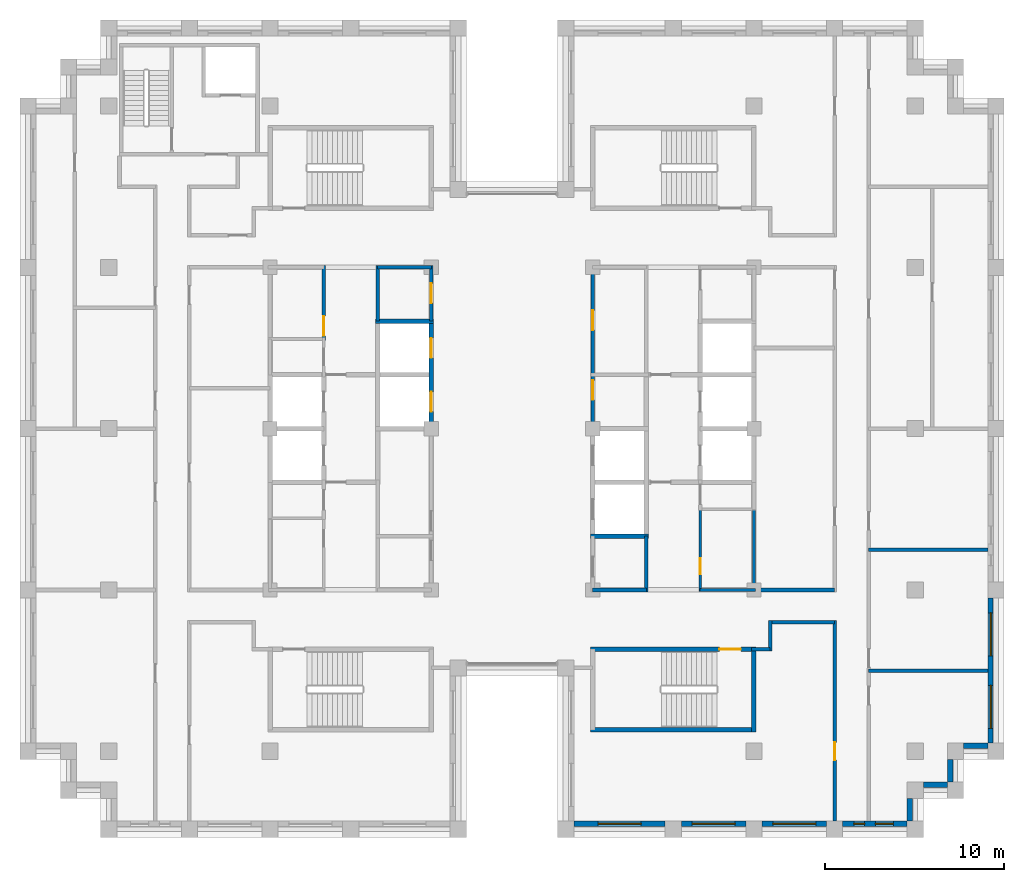
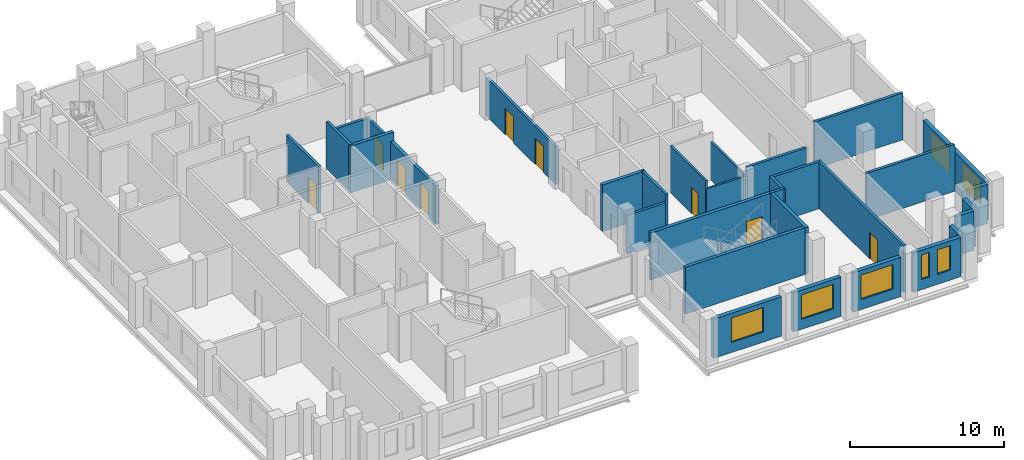
# One storey, part 8 of 13: 32 walls, 9 doors, 7 windows, 16 openings.
"""IFC4 building model written with IfcOpenShell, lengths in metres."""

from ifc_helpers import new_model, si_unit, direction, frame, frame_2d, origin, place, context, subcontext, project, spatial, rectangle, extrude, material, layer, layer_set, type_object, element, fill, save


model = new_model("IFC4")

# Units and contexts
model_context = context("Model", 3, precision=1e-05, world=origin(), true_north=direction((0.0, 1.0)))
body_context = subcontext(model_context, "Body", "Model", "MODEL_VIEW")
ifc_project = project(units=[si_unit("LENGTHUNIT", "METRE"), si_unit("AREAUNIT", "SQUARE_METRE"), si_unit("VOLUMEUNIT", "CUBIC_METRE"), si_unit("PLANEANGLEUNIT", "RADIAN"), si_unit("MASSUNIT", "GRAM", prefix="KILO")], contexts=[model_context])

# Site, building, storey
site_placement = place(None, origin())
site = spatial("IfcSite", under=ifc_project, at=site_placement, CompositionType="ELEMENT")
building_placement = place(site_placement, origin())
building = spatial("IfcBuilding", under=site, at=building_placement, Name="Corbelhall Arena Tower", CompositionType="ELEMENT")
storey_placement = place(building_placement, frame((0.0, 0.0, 250.0)))
storey = spatial("IfcBuildingStorey", under=building, at=storey_placement, Name="L53", CompositionType="ELEMENT", Elevation=250.0)

# Wall, opening, window
ifc_material_1 = material(Name="Precast concrete C40/50 with granite facing", Category="masonry")
ifc_layer_1 = layer(ifc_material_1, 0.300048828125)
ifc_layer_set_1 = layer_set([ifc_layer_1], Name="EV-IW1 Infill panel 300")
wall_type_1 = type_object("IfcWallType", Name="EV-IW1 Infill panel 300", PredefinedType="SOLIDWALL", material=ifc_layer_set_1)
wall_1_placement = place(storey_placement, frame((3.449951171875, -22.050048828125, 0.0), z_axis=(0.0, 0.0, 1.0), x_axis=(1.0, 0.0, 0.0)))
wall_1 = element("IfcWall", 1, at=wall_1_placement, inside=storey, type_object=wall_type_1, Name="Infill panel IW1", PredefinedType="SOLIDWALL", context=body_context, shape_type="SweptSolid", body=[
    extrude(rectangle(XDim=5.10009765625, YDim=0.300048828125, at=frame_2d((2.550048828125, 0.0))), origin(), (0.0, 0.0, 1.0), 3.1201171875),
])
opening_1_placement = place(wall_1_placement, frame((1.35009765625, 0.0, 0.800048828125)))
opening_1 = element("IfcOpeningElement", 2, at=opening_1_placement, cuts=wall_1, Name="Opening WN1", PredefinedType="OPENING", context=body_context, shape_type="SweptSolid", body=[
    extrude(rectangle(XDim=2.39990234375, YDim=1.949951171875, at=frame_2d((1.199951171875, 0.97509765625))), frame((0.0, 0.14990234375, 0.0), z_axis=(0.0, -1.0, 0.0), x_axis=(1.0, 0.0, 0.0)), (0.0, 0.0, 1.0), 0.300048828125),
])
ifc_material_2 = material(Name="Aluminium black anodised", Category="aluminium")
window_type_1 = type_object("IfcWindowType", Name="EV-WN1 Office window", PartitioningType="SINGLE_PANEL", PredefinedType="WINDOW", material=ifc_material_2)
window_1_placement = place(opening_1_placement, origin())
window_1 = element("IfcWindow", 3, at=window_1_placement, inside=storey, type_object=window_type_1, Name="Window WN1", OverallHeight=1.949951171875, OverallWidth=2.39990234375, PartitioningType="SINGLE_PANEL", PredefinedType="WINDOW", context=body_context, shape_type="SweptSolid", body=[
    extrude(rectangle(XDim=2.39990234375, YDim=1.949951171875, at=frame_2d((1.199951171875, 0.97509765625))), frame((0.0, 0.030029296875, 0.0), z_axis=(0.0, -1.0, 0.0), x_axis=(1.0, 0.0, 0.0)), (0.0, 0.0, 1.0), 0.06005859375),
])
fill(opening_1, window_1)

wall_2_placement = place(storey_placement, frame((9.449951171875, -22.050048828125, 0.0), z_axis=(0.0, 0.0, 1.0), x_axis=(1.0, 0.0, 0.0)))
wall_2 = element("IfcWall", 4, at=wall_2_placement, inside=storey, type_object=wall_type_1, Name="Infill panel IW1", PredefinedType="SOLIDWALL", context=body_context, shape_type="SweptSolid", body=[
    extrude(rectangle(XDim=3.60009765625, YDim=0.300048828125, at=frame_2d((1.800048828125, 0.0))), origin(), (0.0, 0.0, 1.0), 3.1201171875),
])
opening_2_placement = place(wall_2_placement, frame((0.60009765625, 0.0, 0.800048828125)))
opening_2 = element("IfcOpeningElement", 5, at=opening_2_placement, cuts=wall_2, Name="Opening WN1", PredefinedType="OPENING", context=body_context, shape_type="SweptSolid", body=[
    extrude(rectangle(XDim=2.39990234375, YDim=1.949951171875, at=frame_2d((1.199951171875, 0.97509765625))), frame((0.0, 0.14990234375, 0.0), z_axis=(0.0, -1.0, 0.0), x_axis=(1.0, 0.0, 0.0)), (0.0, 0.0, 1.0), 0.300048828125),
])
window_2_placement = place(opening_2_placement, origin())
window_2 = element("IfcWindow", 6, at=window_2_placement, inside=storey, type_object=window_type_1, Name="Window WN1", OverallHeight=1.949951171875, OverallWidth=2.39990234375, PartitioningType="SINGLE_PANEL", PredefinedType="WINDOW", context=body_context, shape_type="SweptSolid", body=[
    extrude(rectangle(XDim=2.39990234375, YDim=1.949951171875, at=frame_2d((1.199951171875, 0.97509765625))), frame((0.0, 0.030029296875, 0.0), z_axis=(0.0, -1.0, 0.0), x_axis=(1.0, 0.0, 0.0)), (0.0, 0.0, 1.0), 0.06005859375),
])
fill(opening_2, window_2)

wall_3_placement = place(storey_placement, frame((13.949951171875, -22.050048828125, 0.0), z_axis=(0.0, 0.0, 1.0), x_axis=(1.0, 0.0, 0.0)))
wall_3 = element("IfcWall", 7, at=wall_3_placement, inside=storey, type_object=wall_type_1, Name="Infill panel IW1", PredefinedType="SOLIDWALL", context=body_context, shape_type="SweptSolid", body=[
    extrude(rectangle(XDim=3.60009765625, YDim=0.300048828125, at=frame_2d((1.800048828125, 0.0))), origin(), (0.0, 0.0, 1.0), 3.1201171875),
])
opening_3_placement = place(wall_3_placement, frame((0.60009765625, 0.0, 0.800048828125)))
opening_3 = element("IfcOpeningElement", 8, at=opening_3_placement, cuts=wall_3, Name="Opening WN1", PredefinedType="OPENING", context=body_context, shape_type="SweptSolid", body=[
    extrude(rectangle(XDim=2.39990234375, YDim=1.949951171875, at=frame_2d((1.199951171875, 0.97509765625))), frame((0.0, 0.14990234375, 0.0), z_axis=(0.0, -1.0, 0.0), x_axis=(1.0, 0.0, 0.0)), (0.0, 0.0, 1.0), 0.300048828125),
])
window_3_placement = place(opening_3_placement, origin())
window_3 = element("IfcWindow", 9, at=window_3_placement, inside=storey, type_object=window_type_1, Name="Window WN1", OverallHeight=1.949951171875, OverallWidth=2.39990234375, PartitioningType="SINGLE_PANEL", PredefinedType="WINDOW", context=body_context, shape_type="SweptSolid", body=[
    extrude(rectangle(XDim=2.39990234375, YDim=1.949951171875, at=frame_2d((1.199951171875, 0.97509765625))), frame((0.0, 0.030029296875, 0.0), z_axis=(0.0, -1.0, 0.0), x_axis=(1.0, 0.0, 0.0)), (0.0, 0.0, 1.0), 0.06005859375),
])
fill(opening_3, window_3)

# Wall, openings, windows
wall_4_placement = place(storey_placement, frame((18.449951171875, -22.050048828125, 0.0), z_axis=(0.0, 0.0, 1.0), x_axis=(1.0, 0.0, 0.0)))
wall_4 = element("IfcWall", 10, at=wall_4_placement, inside=storey, type_object=wall_type_1, Name="Infill panel IW1", PredefinedType="SOLIDWALL", context=body_context, shape_type="SweptSolid", body=[
    extrude(rectangle(XDim=3.60009765625, YDim=0.300048828125, at=frame_2d((1.800048828125, 0.0))), origin(), (0.0, 0.0, 1.0), 3.1201171875),
])
opening_4_placement = place(wall_4_placement, frame((0.625, 0.0, 0.800048828125)))
opening_4 = element("IfcOpeningElement", 11, at=opening_4_placement, cuts=wall_4, Name="Opening WN5", PredefinedType="OPENING", context=body_context, shape_type="SweptSolid", body=[
    extrude(rectangle(XDim=0.60009765625, YDim=1.949951171875, at=frame_2d((0.300048828125, 0.97509765625))), frame((0.0, 0.14990234375, 0.0), z_axis=(0.0, -1.0, 0.0), x_axis=(1.0, 0.0, 0.0)), (0.0, 0.0, 1.0), 0.300048828125),
])
opening_5_placement = place(wall_4_placement, frame((1.824951171875, 0.0, 0.800048828125)))
opening_5 = element("IfcOpeningElement", 12, at=opening_5_placement, cuts=wall_4, Name="Opening WN6", PredefinedType="OPENING", context=body_context, shape_type="SweptSolid", body=[
    extrude(rectangle(XDim=1.0, YDim=1.949951171875, at=frame_2d((0.5, 0.97509765625))), frame((0.0, 0.14990234375, 0.0), z_axis=(0.0, -1.0, 0.0), x_axis=(1.0, 0.0, 0.0)), (0.0, 0.0, 1.0), 0.300048828125),
])
window_type_2 = type_object("IfcWindowType", Name="EV-WN5 Office window 600", PartitioningType="SINGLE_PANEL", PredefinedType="WINDOW", material=ifc_material_2)
window_4_placement = place(opening_4_placement, origin())
window_4 = element("IfcWindow", 13, at=window_4_placement, inside=storey, type_object=window_type_2, Name="Window WN5", OverallHeight=1.949951171875, OverallWidth=0.60009765625, PartitioningType="SINGLE_PANEL", PredefinedType="WINDOW", context=body_context, shape_type="SweptSolid", body=[
    extrude(rectangle(XDim=0.60009765625, YDim=1.949951171875, at=frame_2d((0.300048828125, 0.97509765625))), frame((0.0, 0.030029296875, 0.0), z_axis=(0.0, -1.0, 0.0), x_axis=(1.0, 0.0, 0.0)), (0.0, 0.0, 1.0), 0.06005859375),
])
fill(opening_4, window_4)
window_type_3 = type_object("IfcWindowType", Name="EV-WN6 Office window 1000", PartitioningType="SINGLE_PANEL", PredefinedType="WINDOW", material=ifc_material_2)
window_5_placement = place(opening_5_placement, origin())
window_5 = element("IfcWindow", 14, at=window_5_placement, inside=storey, type_object=window_type_3, Name="Window WN6", OverallHeight=1.949951171875, OverallWidth=1.0, PartitioningType="SINGLE_PANEL", PredefinedType="WINDOW", context=body_context, shape_type="SweptSolid", body=[
    extrude(rectangle(XDim=1.0, YDim=1.949951171875, at=frame_2d((0.5, 0.97509765625))), frame((0.0, 0.030029296875, 0.0), z_axis=(0.0, -1.0, 0.0), x_axis=(1.0, 0.0, 0.0)), (0.0, 0.0, 1.0), 0.06005859375),
])
fill(opening_5, window_5)

# Walls
wall_5_placement = place(storey_placement, frame((22.199951171875, -21.89990234375, 0.0), z_axis=(0.0, 0.0, 1.0), x_axis=(0.0, 1.0, 0.0)))
element("IfcWall", 15, at=wall_5_placement, inside=storey, type_object=wall_type_1, Name="Infill panel IW1", PredefinedType="SOLIDWALL", context=body_context, shape_type="SweptSolid", body=[
    extrude(rectangle(XDim=1.27490234375, YDim=0.300048828125, at=frame_2d((0.637451171875, 0.0))), origin(), (0.0, 0.0, 1.0), 3.1201171875),
])
wall_6_placement = place(storey_placement, frame((22.949951171875, -19.875, 0.0), z_axis=(0.0, 0.0, 1.0), x_axis=(1.0, 0.0, 0.0)))
element("IfcWall", 16, at=wall_6_placement, inside=storey, type_object=wall_type_1, Name="Infill panel IW1", PredefinedType="SOLIDWALL", context=body_context, shape_type="SweptSolid", body=[
    extrude(rectangle(XDim=1.35009765625, YDim=0.300048828125, at=frame_2d((0.675048828125, 0.0))), origin(), (0.0, 0.0, 1.0), 3.1201171875),
])
wall_7_placement = place(storey_placement, frame((24.449951171875, -19.72509765625, 0.0), z_axis=(0.0, 0.0, 1.0), x_axis=(0.0, 1.0, 0.0)))
element("IfcWall", 17, at=wall_7_placement, inside=storey, type_object=wall_type_1, Name="Infill panel IW1", PredefinedType="SOLIDWALL", context=body_context, shape_type="SweptSolid", body=[
    extrude(rectangle(XDim=1.275146484375, YDim=0.300048828125, at=frame_2d((0.6376953125, 0.0))), origin(), (0.0, 0.0, 1.0), 3.1201171875),
])
wall_8_placement = place(storey_placement, frame((25.199951171875, -17.699951171875, 0.0), z_axis=(0.0, 0.0, 1.0), x_axis=(1.0, 0.0, 0.0)))
element("IfcWall", 18, at=wall_8_placement, inside=storey, type_object=wall_type_1, Name="Infill panel IW1", PredefinedType="SOLIDWALL", context=body_context, shape_type="SweptSolid", body=[
    extrude(rectangle(XDim=1.35009765625, YDim=0.300048828125, at=frame_2d((0.675048828125, 0.0))), origin(), (0.0, 0.0, 1.0), 3.1201171875),
])

# Wall, openings, windows
wall_9_placement = place(storey_placement, frame((26.699951171875, -17.550048828125, 0.0), z_axis=(0.0, 0.0, 1.0), x_axis=(0.0, 1.0, 0.0)))
wall_9 = element("IfcWall", 19, at=wall_9_placement, inside=storey, type_object=wall_type_1, Name="Infill panel IW1", PredefinedType="SOLIDWALL", context=body_context, shape_type="SweptSolid", body=[
    extrude(rectangle(XDim=8.10009765625, YDim=0.300048828125, at=frame_2d((4.050048828125, 0.0))), origin(), (0.0, 0.0, 1.0), 3.1201171875),
])
opening_6_placement = place(wall_9_placement, frame((0.824951171875, 0.0, 0.800048828125)))
opening_6 = element("IfcOpeningElement", 20, at=opening_6_placement, cuts=wall_9, Name="Opening WN1", PredefinedType="OPENING", context=body_context, shape_type="SweptSolid", body=[
    extrude(rectangle(XDim=2.39990234375, YDim=1.949951171875, at=frame_2d((1.199951171875, 0.97509765625))), frame((0.0, 0.14990234375, 0.0), z_axis=(0.0, -1.0, 0.0), x_axis=(1.0, 0.0, 0.0)), (0.0, 0.0, 1.0), 0.300048828125),
])
opening_7_placement = place(wall_9_placement, frame((4.875, 0.0, 0.800048828125)))
opening_7 = element("IfcOpeningElement", 21, at=opening_7_placement, cuts=wall_9, Name="Opening WN1", PredefinedType="OPENING", context=body_context, shape_type="SweptSolid", body=[
    extrude(rectangle(XDim=2.39990234375, YDim=1.949951171875, at=frame_2d((1.199951171875, 0.97509765625))), frame((0.0, 0.14990234375, 0.0), z_axis=(0.0, -1.0, 0.0), x_axis=(1.0, 0.0, 0.0)), (0.0, 0.0, 1.0), 0.300048828125),
])
window_6_placement = place(opening_6_placement, origin())
window_6 = element("IfcWindow", 22, at=window_6_placement, inside=storey, type_object=window_type_1, Name="Window WN1", OverallHeight=1.949951171875, OverallWidth=2.39990234375, PartitioningType="SINGLE_PANEL", PredefinedType="WINDOW", context=body_context, shape_type="SweptSolid", body=[
    extrude(rectangle(XDim=2.39990234375, YDim=1.949951171875, at=frame_2d((1.199951171875, 0.97509765625))), frame((0.0, 0.030029296875, 0.0), z_axis=(0.0, -1.0, 0.0), x_axis=(1.0, 0.0, 0.0)), (0.0, 0.0, 1.0), 0.06005859375),
])
fill(opening_6, window_6)
window_7_placement = place(opening_7_placement, origin())
window_7 = element("IfcWindow", 23, at=window_7_placement, inside=storey, type_object=window_type_1, Name="Window WN1", OverallHeight=1.949951171875, OverallWidth=2.39990234375, PartitioningType="SINGLE_PANEL", PredefinedType="WINDOW", context=body_context, shape_type="SweptSolid", body=[
    extrude(rectangle(XDim=2.39990234375, YDim=1.949951171875, at=frame_2d((1.199951171875, 0.97509765625))), frame((0.0, 0.030029296875, 0.0), z_axis=(0.0, -1.0, 0.0), x_axis=(1.0, 0.0, 0.0)), (0.0, 0.0, 1.0), 0.06005859375),
])
fill(opening_7, window_7)

# Walls
ifc_material_3 = material(Name="Gypsum board on steel stud, acoustic", Category="steel")
ifc_layer_2 = layer(ifc_material_3, 0.199951171875)
ifc_layer_set_2 = layer_set([ifc_layer_2], Name="IN-W-DM200")
wall_type_2 = type_object("IfcWallType", Name="IN-W-DM200", PredefinedType="PARTITIONING", material=ifc_layer_set_2)
wall_10_placement = place(storey_placement, frame((13.5, -9.0, 0.0), z_axis=(0.0, 0.0, 1.0), x_axis=(1.0, 0.0, 0.0)))
element("IfcWall", 24, at=wall_10_placement, inside=storey, type_object=wall_type_2, Name="Partition 027", PredefinedType="PARTITIONING", context=body_context, shape_type="SweptSolid", body=[
    extrude(rectangle(XDim=4.5, YDim=0.199951171875, at=frame_2d((2.25, 0.0))), origin(), (0.0, 0.0, 1.0), 3.719970703125),
])
wall_11_placement = place(storey_placement, frame((14.39990234375, -12.300048828125, 0.0), z_axis=(0.0, 0.0, 1.0), x_axis=(-1.0, 0.0, 0.0)))
element("IfcWall", 25, at=wall_11_placement, inside=storey, type_object=wall_type_2, Name="Partition 029", PredefinedType="PARTITIONING", context=body_context, shape_type="SweptSolid", body=[
    extrude(rectangle(XDim=1.02490234375, YDim=0.199951171875, at=frame_2d((0.512451171875, 0.0))), origin(), (0.0, 0.0, 1.0), 3.719970703125),
])
wall_12_placement = place(storey_placement, frame((14.39990234375, -10.699951171875, 0.0), z_axis=(0.0, 0.0, 1.0), x_axis=(0.0, -1.0, 0.0)))
element("IfcWall", 26, at=wall_12_placement, inside=storey, type_object=wall_type_2, Name="Partition 030", PredefinedType="PARTITIONING", context=body_context, shape_type="SweptSolid", body=[
    extrude(rectangle(XDim=1.699951171875, YDim=0.199951171875, at=frame_2d((0.85009765625, 0.0))), origin(), (0.0, 0.0, 1.0), 3.719970703125),
])

# Wall, opening, door
wall_13_placement = place(storey_placement, frame((18.0, -21.89990234375, 0.0), z_axis=(0.0, 0.0, 1.0), x_axis=(0.0, 1.0, 0.0)))
wall_13 = element("IfcWall", 27, at=wall_13_placement, inside=storey, type_object=wall_type_2, Name="Partition 034", PredefinedType="PARTITIONING", context=body_context, shape_type="SweptSolid", body=[
    extrude(rectangle(XDim=11.199951171875, YDim=0.199951171875, at=frame_2d((5.60009765625, 0.0))), origin(), (0.0, 0.0, 1.0), 3.719970703125),
])
opening_8_placement = place(wall_13_placement, frame((3.39990234375, 0.0, 0.0)))
opening_8 = element("IfcOpeningElement", 28, at=opening_8_placement, cuts=wall_13, Name="Opening 16028", PredefinedType="OPENING", context=body_context, shape_type="SweptSolid", body=[
    extrude(rectangle(XDim=1.0, YDim=2.10009765625, at=frame_2d((0.5, 1.050048828125))), frame((0.0, 0.10009765625, 0.0), z_axis=(0.0, -1.0, 0.0), x_axis=(1.0, 0.0, 0.0)), (0.0, 0.0, 1.0), 0.199951171875),
])
ifc_material_4 = material(Name="Steel door set", Category="steel")
door_type_1 = type_object("IfcDoorType", Name="IN-D-SW100", OperationType="NOTDEFINED", PredefinedType="DOOR", material=ifc_material_4)
door_1_placement = place(opening_8_placement, origin())
door_1 = element("IfcDoor", 29, at=door_1_placement, inside=storey, type_object=door_type_1, Name="Door 028", OperationType="SINGLE_SWING_LEFT", OverallHeight=2.10009765625, OverallWidth=1.0, PredefinedType="DOOR", context=body_context, shape_type="SweptSolid", body=[
    extrude(rectangle(XDim=1.0, YDim=2.10009765625, at=frame_2d((0.5, 1.050048828125))), frame((0.0, 0.02490234375, 0.0), z_axis=(0.0, -1.0, 0.0), x_axis=(1.0, 0.0, 0.0)), (0.0, 0.0, 1.0), 0.050048828125),
])
fill(opening_8, door_1)

# Walls
wall_14_placement = place(storey_placement, frame((18.0, -10.800048828125, 0.0), z_axis=(0.0, 0.0, 1.0), x_axis=(-1.0, 0.0, 0.0)))
element("IfcWall", 30, at=wall_14_placement, inside=storey, type_object=wall_type_2, Name="Partition 035", PredefinedType="PARTITIONING", context=body_context, shape_type="SweptSolid", body=[
    extrude(rectangle(XDim=3.60009765625, YDim=0.199951171875, at=frame_2d((1.800048828125, 0.0))), origin(), (0.0, 0.0, 1.0), 3.719970703125),
])
for number, where, z_axis, x_axis, name in (
    (31, (19.89990234375, -13.5, 0.0), (0.0, 0.0, 1.0), (1.0, 0.0, 0.0), "Partition 038"),
    (32, (19.89990234375, -6.75, 0.0), (0.0, 0.0, 1.0), (1.0, 0.0, 0.0), "Partition 040"),
):
    element("IfcWall", number, at=place(storey_placement, frame(where, z_axis=z_axis, x_axis=x_axis)), inside=storey, type_object=wall_type_2, Name=name, PredefinedType="PARTITIONING", context=body_context, shape_type="SweptSolid", body=[
        extrude(rectangle(XDim=6.650146484375, YDim=0.199951171875, at=frame_2d((3.3251953125, 0.0))), origin(), (0.0, 0.0, 1.0), 3.719970703125),
    ])

# Wall, opening, door
ifc_material_5 = material(Name="Concrete block wall", Category="concrete")
ifc_layer_3 = layer(ifc_material_5, 0.199951171875)
ifc_layer_set_3 = layer_set([ifc_layer_3], Name="IN-W-RS200")
wall_type_3 = type_object("IfcWallType", Name="IN-W-RS200", PredefinedType="SOLIDWALL", material=ifc_layer_set_3)
wall_15_placement = place(storey_placement, frame((-10.5, 4.925048828125, 0.0), z_axis=(0.0, 0.0, 1.0), x_axis=(0.0, 1.0, 0.0)))
wall_15 = element("IfcWall", 33, at=wall_15_placement, inside=storey, type_object=wall_type_3, Name="Partition 048", PredefinedType="SOLIDWALL", context=body_context, shape_type="SweptSolid", body=[
    extrude(rectangle(XDim=4.175048828125, YDim=0.199951171875, at=frame_2d((2.08740234375, 0.0))), origin(), (0.0, 0.0, 1.0), 3.719970703125),
])
opening_9_placement = place(wall_15_placement, frame((0.25, 0.0, 0.0)))
opening_9 = element("IfcOpeningElement", 34, at=opening_9_placement, cuts=wall_15, Name="Opening 16008", PredefinedType="OPENING", context=body_context, shape_type="SweptSolid", body=[
    extrude(rectangle(XDim=1.10009765625, YDim=2.10009765625, at=frame_2d((0.550048828125, 1.050048828125))), frame((0.0, 0.10009765625, 0.0), z_axis=(0.0, -1.0, 0.0), x_axis=(1.0, 0.0, 0.0)), (0.0, 0.0, 1.0), 0.199951171875),
])
door_type_2 = type_object("IfcDoorType", Name="IN-D-FD110", OperationType="NOTDEFINED", PredefinedType="DOOR", material=ifc_material_4)
door_2_placement = place(opening_9_placement, origin())
door_2 = element("IfcDoor", 35, at=door_2_placement, inside=storey, type_object=door_type_2, Name="Door 008", OperationType="SINGLE_SWING_LEFT", OverallHeight=2.10009765625, OverallWidth=1.10009765625, PredefinedType="DOOR", context=body_context, shape_type="SweptSolid", body=[
    extrude(rectangle(XDim=1.10009765625, YDim=2.10009765625, at=frame_2d((0.550048828125, 1.050048828125))), frame((0.0, 0.02490234375, 0.0), z_axis=(0.0, -1.0, 0.0), x_axis=(1.0, 0.0, 0.0)), (0.0, 0.0, 1.0), 0.050048828125),
])
fill(opening_9, door_2)

# Walls
for number, where, z_axis, x_axis, name in (
    (36, (-7.5, 6.0, 0.0), (0.0, 0.0, 1.0), (0.0, 1.0, 0.0), "Partition 051"),
    (37, (7.5, -6.0, 0.0), (0.0, 0.0, 1.0), (0.0, -1.0, 0.0), "Partition 061"),
):
    element("IfcWall", number, at=place(storey_placement, frame(where, z_axis=z_axis, x_axis=x_axis)), inside=storey, type_object=wall_type_3, Name=name, PredefinedType="SOLIDWALL", context=body_context, shape_type="SweptSolid", body=[
        extrude(rectangle(XDim=3.10009765625, YDim=0.199951171875, at=frame_2d((1.550048828125, 0.0))), origin(), (0.0, 0.0, 1.0), 3.719970703125),
    ])
ifc_layer_4 = layer(ifc_material_5, 0.199951171875)
ifc_layer_set_4 = layer_set([ifc_layer_4], Name="IN-W-RS200 under beam 678 mm")
wall_type_4 = type_object("IfcWallType", Name="IN-W-RS200 under beam 678 mm", PredefinedType="SOLIDWALL", material=ifc_layer_set_4)
wall_16_placement = place(storey_placement, frame((-7.5, 9.0, 0.0), z_axis=(0.0, 0.0, 1.0), x_axis=(1.0, 0.0, 0.0)))
element("IfcWall", 38, at=wall_16_placement, inside=storey, type_object=wall_type_4, Name="Partition 052", PredefinedType="SOLIDWALL", context=body_context, shape_type="SweptSolid", body=[
    extrude(rectangle(XDim=3.0, YDim=0.199951171875, at=frame_2d((1.5, 0.0))), origin(), (0.0, 0.0, 1.0), 3.041748046875),
])

# Wall, opening, door
wall_17_placement = place(storey_placement, frame((-4.5, 9.10009765625, 0.0), z_axis=(0.0, 0.0, 1.0), x_axis=(0.0, -1.0, 0.0)))
wall_17 = element("IfcWall", 39, at=wall_17_placement, inside=storey, type_object=wall_type_4, Name="Partition 055", PredefinedType="SOLIDWALL", context=body_context, shape_type="SweptSolid", body=[
    extrude(rectangle(XDim=3.10009765625, YDim=0.199951171875, at=frame_2d((1.550048828125, 0.0))), origin(), (0.0, 0.0, 1.0), 3.041748046875),
])
opening_10_placement = place(wall_17_placement, frame((1.0, 0.0, 0.0)))
opening_10 = element("IfcOpeningElement", 40, at=opening_10_placement, cuts=wall_17, Name="Opening 16003", PredefinedType="OPENING", context=body_context, shape_type="SweptSolid", body=[
    extrude(rectangle(XDim=1.10009765625, YDim=2.10009765625, at=frame_2d((0.550048828125, 1.050048828125))), frame((0.0, 0.10009765625, 0.0), z_axis=(0.0, -1.0, 0.0), x_axis=(1.0, 0.0, 0.0)), (0.0, 0.0, 1.0), 0.199951171875),
])
door_3_placement = place(opening_10_placement, origin())
door_3 = element("IfcDoor", 41, at=door_3_placement, inside=storey, type_object=door_type_2, Name="Door 003", OperationType="SINGLE_SWING_RIGHT", OverallHeight=2.10009765625, OverallWidth=1.10009765625, PredefinedType="DOOR", context=body_context, shape_type="SweptSolid", body=[
    extrude(rectangle(XDim=1.10009765625, YDim=2.10009765625, at=frame_2d((0.550048828125, 1.050048828125))), frame((0.0, 0.02490234375, 0.0), z_axis=(0.0, -1.0, 0.0), x_axis=(1.0, 0.0, 0.0)), (0.0, 0.0, 1.0), 0.050048828125),
])
fill(opening_10, door_3)

# Wall, openings, doors
wall_18_placement = place(storey_placement, frame((4.5, 0.0, 0.0), z_axis=(0.0, 0.0, 1.0), x_axis=(0.0, 1.0, 0.0)))
wall_18 = element("IfcWall", 42, at=wall_18_placement, inside=storey, type_object=wall_type_4, Name="Partition 058", PredefinedType="SOLIDWALL", context=body_context, shape_type="SweptSolid", body=[
    extrude(rectangle(XDim=9.10009765625, YDim=0.199951171875, at=frame_2d((4.550048828125, 0.0))), origin(), (0.0, 0.0, 1.0), 3.041748046875),
])
opening_11_placement = place(wall_18_placement, frame((1.60009765625, 0.0, 0.0)))
opening_11 = element("IfcOpeningElement", 43, at=opening_11_placement, cuts=wall_18, Name="Opening 16010", PredefinedType="OPENING", context=body_context, shape_type="SweptSolid", body=[
    extrude(rectangle(XDim=1.10009765625, YDim=2.10009765625, at=frame_2d((0.550048828125, 1.050048828125))), frame((0.0, 0.10009765625, 0.0), z_axis=(0.0, -1.0, 0.0), x_axis=(1.0, 0.0, 0.0)), (0.0, 0.0, 1.0), 0.199951171875),
])
opening_12_placement = place(wall_18_placement, frame((5.5, 0.0, 0.0)))
opening_12 = element("IfcOpeningElement", 44, at=opening_12_placement, cuts=wall_18, Name="Opening 16011", PredefinedType="OPENING", context=body_context, shape_type="SweptSolid", body=[
    extrude(rectangle(XDim=1.10009765625, YDim=2.10009765625, at=frame_2d((0.550048828125, 1.050048828125))), frame((0.0, 0.10009765625, 0.0), z_axis=(0.0, -1.0, 0.0), x_axis=(1.0, 0.0, 0.0)), (0.0, 0.0, 1.0), 0.199951171875),
])
door_4_placement = place(opening_11_placement, origin())
door_4 = element("IfcDoor", 45, at=door_4_placement, inside=storey, type_object=door_type_2, Name="Door 010", OperationType="SINGLE_SWING_LEFT", OverallHeight=2.10009765625, OverallWidth=1.10009765625, PredefinedType="DOOR", context=body_context, shape_type="SweptSolid", body=[
    extrude(rectangle(XDim=1.10009765625, YDim=2.10009765625, at=frame_2d((0.550048828125, 1.050048828125))), frame((0.0, 0.02490234375, 0.0), z_axis=(0.0, -1.0, 0.0), x_axis=(1.0, 0.0, 0.0)), (0.0, 0.0, 1.0), 0.050048828125),
])
fill(opening_11, door_4)
door_5_placement = place(opening_12_placement, origin())
door_5 = element("IfcDoor", 46, at=door_5_placement, inside=storey, type_object=door_type_2, Name="Door 011", OperationType="SINGLE_SWING_RIGHT", OverallHeight=2.10009765625, OverallWidth=1.10009765625, PredefinedType="DOOR", context=body_context, shape_type="SweptSolid", body=[
    extrude(rectangle(XDim=1.10009765625, YDim=2.10009765625, at=frame_2d((0.550048828125, 1.050048828125))), frame((0.0, 0.02490234375, 0.0), z_axis=(0.0, -1.0, 0.0), x_axis=(1.0, 0.0, 0.0)), (0.0, 0.0, 1.0), 0.050048828125),
])
fill(opening_12, door_5)

# Walls
wall_19_placement = place(storey_placement, frame((7.5, -9.0, 0.0), z_axis=(0.0, 0.0, 1.0), x_axis=(-1.0, 0.0, 0.0)))
element("IfcWall", 47, at=wall_19_placement, inside=storey, type_object=wall_type_4, Name="Partition 060", PredefinedType="SOLIDWALL", context=body_context, shape_type="SweptSolid", body=[
    extrude(rectangle(XDim=3.0, YDim=0.199951171875, at=frame_2d((1.5, 0.0))), origin(), (0.0, 0.0, 1.0), 3.041748046875),
])
ifc_material_6 = material(Name="Concrete C40/50", Category="concrete")
ifc_layer_5 = layer(ifc_material_6, 0.25)
ifc_layer_set_5 = layer_set([ifc_layer_5], Name="IN-W-SH250")
wall_type_5 = type_object("IfcWallType", Name="IN-W-SH250", PredefinedType="SOLIDWALL", material=ifc_layer_set_5)
for number, where, z_axis, x_axis, name in (
    (48, (-7.625, 6.0, 0.0), (0.0, 0.0, 1.0), (1.0, 0.0, 0.0), "Shaft wall 074"),
    (49, (4.375, -6.0, 0.0), (0.0, 0.0, 1.0), (1.0, 0.0, 0.0), "Shaft wall 077"),
):
    element("IfcWall", number, at=place(storey_placement, frame(where, z_axis=z_axis, x_axis=x_axis)), inside=storey, type_object=wall_type_5, Name=name, PredefinedType="SOLIDWALL", context=body_context, shape_type="SweptSolid", body=[
        extrude(rectangle(XDim=3.25, YDim=0.25, at=frame_2d((1.625, 0.0))), origin(), (0.0, 0.0, 1.0), 3.719970703125),
    ])

# Wall, openings, doors
ifc_layer_6 = layer(ifc_material_6, 0.25)
ifc_layer_set_6 = layer_set([ifc_layer_6], Name="IN-W-SH250 under beam 678 mm")
wall_type_6 = type_object("IfcWallType", Name="IN-W-SH250 under beam 678 mm", PredefinedType="SOLIDWALL", material=ifc_layer_set_6)
wall_20_placement = place(storey_placement, frame((-4.5, 6.0, 0.0), z_axis=(0.0, 0.0, 1.0), x_axis=(0.0, -1.0, 0.0)))
wall_20 = element("IfcWall", 50, at=wall_20_placement, inside=storey, type_object=wall_type_6, Name="Shaft wall 076", PredefinedType="SOLIDWALL", context=body_context, shape_type="SweptSolid", body=[
    extrude(rectangle(XDim=6.0, YDim=0.25, at=frame_2d((3.0, 0.0))), origin(), (0.0, 0.0, 1.0), 3.041748046875),
])
opening_13_placement = place(wall_20_placement, frame((3.949951171875, 0.0, 0.0)))
opening_13 = element("IfcOpeningElement", 51, at=opening_13_placement, cuts=wall_20, Name="Opening LD", PredefinedType="OPENING", context=body_context, shape_type="SweptSolid", body=[
    extrude(rectangle(XDim=1.10009765625, YDim=2.10009765625, at=frame_2d((0.550048828125, 1.050048828125))), frame((0.0, 0.125, 0.0), z_axis=(0.0, -1.0, 0.0), x_axis=(1.0, 0.0, 0.0)), (0.0, 0.0, 1.0), 0.25),
])
opening_14_placement = place(wall_20_placement, frame((0.949951171875, 0.0, 0.0)))
opening_14 = element("IfcOpeningElement", 52, at=opening_14_placement, cuts=wall_20, Name="Opening LD", PredefinedType="OPENING", context=body_context, shape_type="SweptSolid", body=[
    extrude(rectangle(XDim=1.10009765625, YDim=2.10009765625, at=frame_2d((0.550048828125, 1.050048828125))), frame((0.0, 0.125, 0.0), z_axis=(0.0, -1.0, 0.0), x_axis=(1.0, 0.0, 0.0)), (0.0, 0.0, 1.0), 0.25),
])
door_type_3 = type_object("IfcDoorType", Name="IN-D-LD110", OperationType="NOTDEFINED", PredefinedType="DOOR", material=ifc_material_4)
door_6_placement = place(opening_13_placement, origin())
door_6 = element("IfcDoor", 53, at=door_6_placement, inside=storey, type_object=door_type_3, Name="Landing door W4", OperationType="SLIDING_TO_LEFT", OverallHeight=2.10009765625, OverallWidth=1.10009765625, PredefinedType="DOOR", context=body_context, shape_type="SweptSolid", body=[
    extrude(rectangle(XDim=1.10009765625, YDim=2.10009765625, at=frame_2d((0.550048828125, 1.050048828125))), frame((0.0, 0.02490234375, 0.0), z_axis=(0.0, -1.0, 0.0), x_axis=(1.0, 0.0, 0.0)), (0.0, 0.0, 1.0), 0.050048828125),
])
fill(opening_13, door_6)
door_7_placement = place(opening_14_placement, origin())
door_7 = element("IfcDoor", 54, at=door_7_placement, inside=storey, type_object=door_type_3, Name="Landing door W5", OperationType="SLIDING_TO_LEFT", OverallHeight=2.10009765625, OverallWidth=1.10009765625, PredefinedType="DOOR", context=body_context, shape_type="SweptSolid", body=[
    extrude(rectangle(XDim=1.10009765625, YDim=2.10009765625, at=frame_2d((0.550048828125, 1.050048828125))), frame((0.0, 0.02490234375, 0.0), z_axis=(0.0, -1.0, 0.0), x_axis=(1.0, 0.0, 0.0)), (0.0, 0.0, 1.0), 0.050048828125),
])
fill(opening_14, door_7)

# Walls
ifc_layer_7 = layer(ifc_material_6, 0.25)
ifc_layer_set_7 = layer_set([ifc_layer_7], Name="IN-W-ST250")
wall_type_7 = type_object("IfcWallType", Name="IN-W-ST250", PredefinedType="SOLIDWALL", material=ifc_layer_set_7)
wall_21_placement = place(storey_placement, frame((13.5, -16.800048828125, 0.0), z_axis=(0.0, 0.0, 1.0), x_axis=(-1.0, 0.0, 0.0)))
element("IfcWall", 55, at=wall_21_placement, inside=storey, type_object=wall_type_7, Name="Shaft wall 099", PredefinedType="SOLIDWALL", context=body_context, shape_type="SweptSolid", body=[
    extrude(rectangle(XDim=9.125, YDim=0.25, at=frame_2d((4.5625, 0.0))), origin(), (0.0, 0.0, 1.0), 3.719970703125),
])
wall_22_placement = place(storey_placement, frame((13.5, -12.300048828125, 0.0), z_axis=(0.0, 0.0, 1.0), x_axis=(0.0, -1.0, 0.0)))
element("IfcWall", 56, at=wall_22_placement, inside=storey, type_object=wall_type_7, Name="Shaft wall 100", PredefinedType="SOLIDWALL", context=body_context, shape_type="SweptSolid", body=[
    extrude(rectangle(XDim=4.625, YDim=0.25, at=frame_2d((2.3125, 0.0))), origin(), (0.0, 0.0, 1.0), 3.719970703125),
])

# Wall, opening, door
wall_23_placement = place(storey_placement, frame((13.625, -12.300048828125, 0.0), z_axis=(0.0, 0.0, 1.0), x_axis=(-1.0, 0.0, 0.0)))
wall_23 = element("IfcWall", 57, at=wall_23_placement, inside=storey, type_object=wall_type_7, Name="Shaft wall 102", PredefinedType="SOLIDWALL", context=body_context, shape_type="SweptSolid", body=[
    extrude(rectangle(XDim=9.25, YDim=0.25, at=frame_2d((4.625, 0.0))), origin(), (0.0, 0.0, 1.0), 3.719970703125),
])
opening_15_placement = place(wall_23_placement, frame((0.85009765625, 0.0, 0.0)))
opening_15 = element("IfcOpeningElement", 58, at=opening_15_placement, cuts=wall_23, Name="Opening 16020", PredefinedType="OPENING", context=body_context, shape_type="SweptSolid", body=[
    extrude(rectangle(XDim=1.199951171875, YDim=2.10009765625, at=frame_2d((0.60009765625, 1.050048828125))), frame((0.0, 0.125, 0.0), z_axis=(0.0, -1.0, 0.0), x_axis=(1.0, 0.0, 0.0)), (0.0, 0.0, 1.0), 0.25),
])
door_type_4 = type_object("IfcDoorType", Name="IN-D-ST120", OperationType="NOTDEFINED", PredefinedType="DOOR", material=ifc_material_4)
door_8_placement = place(opening_15_placement, origin())
door_8 = element("IfcDoor", 59, at=door_8_placement, inside=storey, type_object=door_type_4, Name="Door 020", OperationType="SINGLE_SWING_LEFT", OverallHeight=2.10009765625, OverallWidth=1.199951171875, PredefinedType="DOOR", context=body_context, shape_type="SweptSolid", body=[
    extrude(rectangle(XDim=1.199951171875, YDim=2.10009765625, at=frame_2d((0.60009765625, 1.050048828125))), frame((0.0, 0.02490234375, 0.0), z_axis=(0.0, -1.0, 0.0), x_axis=(1.0, 0.0, 0.0)), (0.0, 0.0, 1.0), 0.050048828125),
])
fill(opening_15, door_8)

ifc_material_7 = material(Name="Gypsum board on steel stud, moisture resistant", Category="steel")
ifc_layer_8 = layer(ifc_material_7, 0.14990234375)
ifc_layer_set_8 = layer_set([ifc_layer_8], Name="IN-W-WC150")
wall_type_8 = type_object("IfcWallType", Name="IN-W-WC150", PredefinedType="PARTITIONING", material=ifc_layer_set_8)
wall_24_placement = place(storey_placement, frame((10.5, -4.425048828125, 0.0), z_axis=(0.0, 0.0, 1.0), x_axis=(0.0, -1.0, 0.0)))
wall_24 = element("IfcWall", 60, at=wall_24_placement, inside=storey, type_object=wall_type_8, Name="Partition 111", PredefinedType="PARTITIONING", context=body_context, shape_type="SweptSolid", body=[
    extrude(rectangle(XDim=4.64990234375, YDim=0.14990234375, at=frame_2d((2.324951171875, 0.0))), origin(), (0.0, 0.0, 1.0), 3.719970703125),
])
opening_16_placement = place(wall_24_placement, frame((2.800048828125, 0.0, 0.0)))
opening_16 = element("IfcOpeningElement", 61, at=opening_16_placement, cuts=wall_24, Name="Opening 16014", PredefinedType="OPENING", context=body_context, shape_type="SweptSolid", body=[
    extrude(rectangle(XDim=0.89990234375, YDim=2.10009765625, at=frame_2d((0.449951171875, 1.050048828125))), frame((0.0, 0.074951171875, 0.0), z_axis=(0.0, -1.0, 0.0), x_axis=(1.0, 0.0, 0.0)), (0.0, 0.0, 1.0), 0.14990234375),
])
ifc_material_8 = material(Name="Timber door set", Category="wood")
door_type_5 = type_object("IfcDoorType", Name="IN-D-SW90", OperationType="NOTDEFINED", PredefinedType="DOOR", material=ifc_material_8)
door_9_placement = place(opening_16_placement, origin())
door_9 = element("IfcDoor", 62, at=door_9_placement, inside=storey, type_object=door_type_5, Name="Door 014", OperationType="SINGLE_SWING_LEFT", OverallHeight=2.10009765625, OverallWidth=0.89990234375, PredefinedType="DOOR", context=body_context, shape_type="SweptSolid", body=[
    extrude(rectangle(XDim=0.89990234375, YDim=2.10009765625, at=frame_2d((0.449951171875, 1.050048828125))), frame((0.0, 0.02490234375, 0.0), z_axis=(0.0, -1.0, 0.0), x_axis=(1.0, 0.0, 0.0)), (0.0, 0.0, 1.0), 0.050048828125),
])
fill(opening_16, door_9)

# Walls
ifc_layer_9 = layer(ifc_material_7, 0.14990234375)
ifc_layer_set_9 = layer_set([ifc_layer_9], Name="IN-W-WC150 under beam 678 mm")
wall_type_9 = type_object("IfcWallType", Name="IN-W-WC150 under beam 678 mm", PredefinedType="PARTITIONING", material=ifc_layer_set_9)
wall_25_placement = place(storey_placement, frame((13.5, -4.5, 0.0), z_axis=(0.0, 0.0, 1.0), x_axis=(0.0, -1.0, 0.0)))
element("IfcWall", 63, at=wall_25_placement, inside=storey, type_object=wall_type_9, Name="Partition 112", PredefinedType="PARTITIONING", context=body_context, shape_type="SweptSolid", body=[
    extrude(rectangle(XDim=4.60009765625, YDim=0.14990234375, at=frame_2d((2.300048828125, 0.0))), origin(), (0.0, 0.0, 1.0), 3.041748046875),
])
wall_26_placement = place(storey_placement, frame((13.574951171875, -9.0, 0.0), z_axis=(0.0, 0.0, 1.0), x_axis=(-1.0, 0.0, 0.0)))
element("IfcWall", 64, at=wall_26_placement, inside=storey, type_object=wall_type_9, Name="Partition 113", PredefinedType="PARTITIONING", context=body_context, shape_type="SweptSolid", body=[
    extrude(rectangle(XDim=3.074951171875, YDim=0.14990234375, at=frame_2d((1.53759765625, 0.0))), origin(), (0.0, 0.0, 1.0), 3.041748046875),
])

save(model, "model.ifc")
